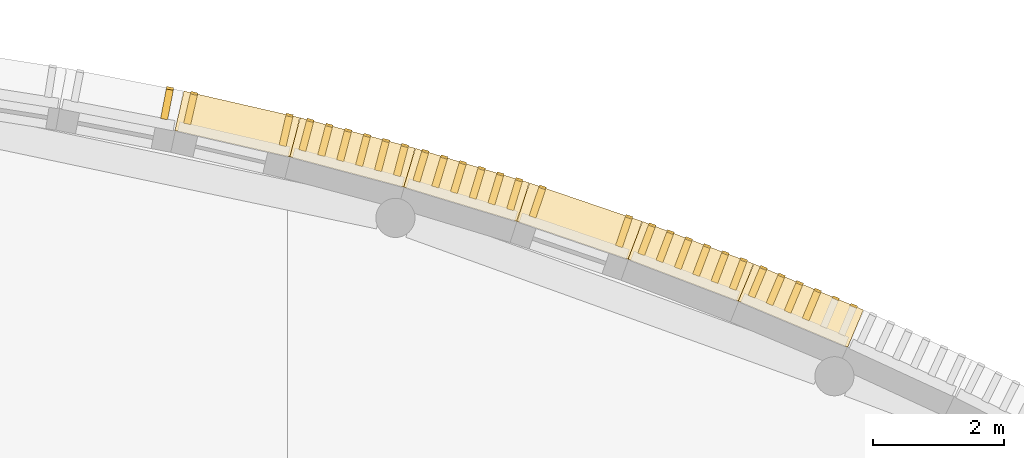
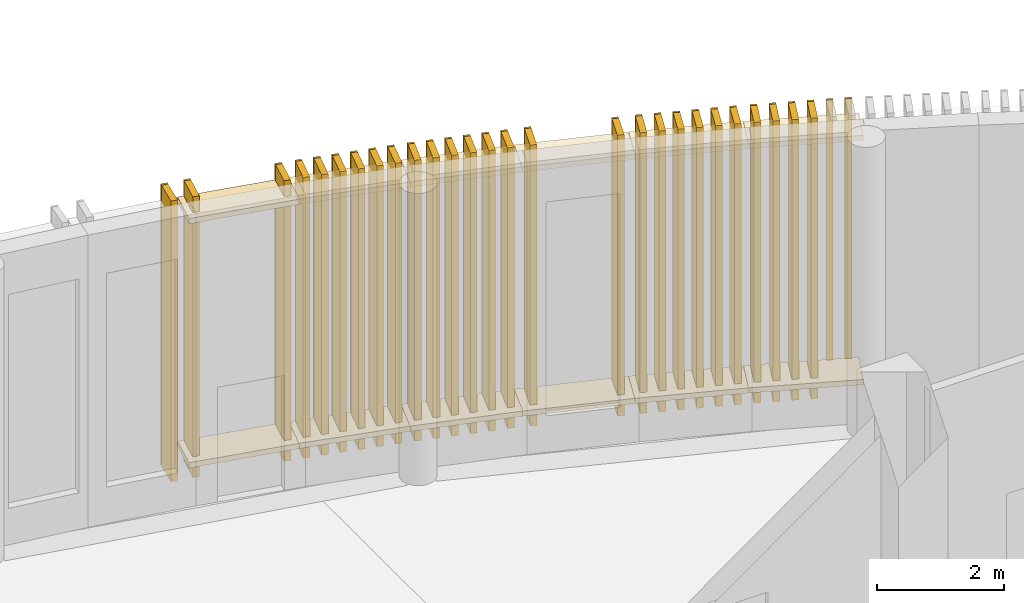
# One storey, part 81 of 85: 41 coverings, 27 shading devices.
"""IFC4 building model written with IfcOpenShell, lengths in metres."""

from ifc_helpers import new_model, si_unit, direction, frame, origin, origin_2d, place, context, subcontext, project, spatial, rectangle, extrude, material, layer, layer_set, type_object, element, save


model = new_model("IFC4")

# Units and contexts
model_context = context("Model", 3, precision=1e-05, world=origin(), true_north=direction((0.0, 1.0)))
body_context = subcontext(model_context, "Body", "Model", "MODEL_VIEW")
ifc_project = project(units=[si_unit("LENGTHUNIT", "METRE"), si_unit("AREAUNIT", "SQUARE_METRE"), si_unit("VOLUMEUNIT", "CUBIC_METRE"), si_unit("PLANEANGLEUNIT", "RADIAN"), si_unit("MASSUNIT", "GRAM", prefix="KILO")], contexts=[model_context])

# Site, building, storey
site_placement = place(None, origin())
site = spatial("IfcSite", under=ifc_project, at=site_placement, CompositionType="ELEMENT")
building_placement = place(site_placement, origin())
building = spatial("IfcBuilding", under=site, at=building_placement, Name="Sardonyx Promenade Sports Hall", CompositionType="ELEMENT")
storey_placement = place(building_placement, origin())
storey = spatial("IfcBuildingStorey", under=building, at=storey_placement, Name="L00", CompositionType="ELEMENT", Elevation=0.0)

# Coverings
ifc_material_1 = material(Name="Glulam GL28h", Category="wood")
ifc_layer = layer(ifc_material_1, 0.110107421875)
ifc_layer_set = layer_set([ifc_layer], Name="Cov_Louvre_GL28h")
covering_type = type_object("IfcCoveringType", Name="Cov_Louvre_GL28h", PredefinedType="MOLDING", material=ifc_layer_set)
covering_placement = place(storey_placement, frame((64.67626953125, 114.89599609375, 0.199951171875), z_axis=(0.0, 0.0, 1.0), x_axis=(0.981929658139, -0.18924625879, 0.0)))
element("IfcCovering", 1, at=covering_placement, inside=storey, type_object=covering_type, Name="Timber louvre nose molding L00 CH20 #2", PredefinedType="MOLDING", context=body_context, shape_type="SweptSolid", body=[
    extrude(rectangle(XDim=0.110107421875, YDim=0.0400390625, at=origin_2d()), origin(), (0.0, 0.0, 1.0), 5.3798828125),
])
for number, where, z_axis, x_axis, name in (
    (2, (65.70751953125, 114.349365234375, 0.5), (0.0, 0.0, 1.0), (0.974791577465, -0.223117414163, 0.0), "Bowed louvre carrier rail L00 CH21 #1"),
    (3, (65.70751953125, 114.349365234375, 5.179931640625), (0.0, 0.0, 1.0), (0.974791577465, -0.223117414163, 0.0), "Bowed louvre carrier rail L00 CH21 #2"),
):
    element("IfcCovering", number, at=place(storey_placement, frame(where, z_axis=z_axis, x_axis=x_axis)), inside=storey, type_object=covering_type, Name=name, PredefinedType="MOLDING", context=body_context, shape_type="SweptSolid", body=[
        extrude(rectangle(XDim=1.820068359375, YDim=0.6201171875, at=origin_2d()), origin(), (0.0, 0.0, 1.0), 0.10009765625),
    ])
for number, where, z_axis, x_axis, name in (
    (4, (65.04541015625, 114.819091796875, 0.199951171875), (0.0, 0.0, 1.0), (0.974791577465, -0.223117414163, 0.0), "Timber louvre nose molding L00 CH21 #1"),
    (5, (66.5078125, 114.484375, 0.199951171875), (0.0, 0.0, 1.0), (0.974791577465, -0.223117414163, 0.0), "Timber louvre nose molding L00 CH21 #6"),
):
    element("IfcCovering", number, at=place(storey_placement, frame(where, z_axis=z_axis, x_axis=x_axis)), inside=storey, type_object=covering_type, Name=name, PredefinedType="MOLDING", context=body_context, shape_type="SweptSolid", body=[
        extrude(rectangle(XDim=0.110107421875, YDim=0.0400390625, at=origin_2d()), origin(), (0.0, 0.0, 1.0), 5.3798828125),
    ])
for number, where, z_axis, x_axis, name in (
    (6, (67.470703125, 113.91357421875, 0.5), (0.0, 0.0, 1.0), (0.966485494347, -0.256721228607, 0.0), "Bowed louvre carrier rail L00 CH22 #1"),
    (7, (67.470703125, 113.91357421875, 5.179931640625), (0.0, 0.0, 1.0), (0.966485494347, -0.256721228607, 0.0), "Bowed louvre carrier rail L00 CH22 #2"),
):
    element("IfcCovering", number, at=place(storey_placement, frame(where, z_axis=z_axis, x_axis=x_axis)), inside=storey, type_object=covering_type, Name=name, PredefinedType="MOLDING", context=body_context, shape_type="SweptSolid", body=[
        extrude(rectangle(XDim=1.820068359375, YDim=0.6201171875, at=origin_2d()), origin(), (0.0, 0.0, 1.0), 0.10009765625),
    ])
for number, where, z_axis, x_axis, name in (
    (8, (66.825439453125, 114.40576171875, 0.199951171875), (0.0, 0.0, 1.0), (0.966485494347, -0.256721228607, 0.0), "Timber louvre nose molding L00 CH22 #1"),
    (9, (67.115478515625, 114.328857421875, 0.199951171875), (0.0, 0.0, 1.0), (0.966485494347, -0.256721228607, 0.0), "Timber louvre nose molding L00 CH22 #2"),
    (10, (67.4052734375, 114.251708984375, 0.199951171875), (0.0, 0.0, 1.0), (0.966485494347, -0.256721228607, 0.0), "Timber louvre nose molding L00 CH22 #3"),
    (11, (67.6953125, 114.1748046875, 0.199951171875), (0.0, 0.0, 1.0), (0.966485494347, -0.256721228607, 0.0), "Timber louvre nose molding L00 CH22 #4"),
    (12, (67.9853515625, 114.09765625, 0.199951171875), (0.0, 0.0, 1.0), (0.966485494347, -0.256721228607, 0.0), "Timber louvre nose molding L00 CH22 #5"),
    (13, (68.275146484375, 114.020751953125, 0.199951171875), (0.0, 0.0, 1.0), (0.966485494347, -0.256721228607, 0.0), "Timber louvre nose molding L00 CH22 #6"),
):
    element("IfcCovering", number, at=place(storey_placement, frame(where, z_axis=z_axis, x_axis=x_axis)), inside=storey, type_object=covering_type, Name=name, PredefinedType="MOLDING", context=body_context, shape_type="SweptSolid", body=[
        extrude(rectangle(XDim=0.110107421875, YDim=0.0400390625, at=origin_2d()), origin(), (0.0, 0.0, 1.0), 5.3798828125),
    ])
for number, where, z_axis, x_axis, name in (
    (14, (69.2177734375, 113.4169921875, 0.5), (0.0, 0.0, 1.0), (0.957021361193, -0.290017437786, 0.0), "Bowed louvre carrier rail L00 CH23 #1"),
    (15, (69.2177734375, 113.4169921875, 5.179931640625), (0.0, 0.0, 1.0), (0.957021361193, -0.290017437786, 0.0), "Bowed louvre carrier rail L00 CH23 #2"),
):
    element("IfcCovering", number, at=place(storey_placement, frame(where, z_axis=z_axis, x_axis=x_axis)), inside=storey, type_object=covering_type, Name=name, PredefinedType="MOLDING", context=body_context, shape_type="SweptSolid", body=[
        extrude(rectangle(XDim=1.820068359375, YDim=0.6201171875, at=origin_2d()), origin(), (0.0, 0.0, 1.0), 0.10009765625),
    ])
for number, where, z_axis, x_axis, name in (
    (16, (68.590087890625, 113.93115234375, 0.199951171875), (0.0, 0.0, 1.0), (0.957021361193, -0.290017437786, 0.0), "Timber louvre nose molding L00 CH23 #1"),
    (17, (68.877197265625, 113.84423828125, 0.199951171875), (0.0, 0.0, 1.0), (0.957021361193, -0.290017437786, 0.0), "Timber louvre nose molding L00 CH23 #2"),
    (18, (69.164306640625, 113.757080078125, 0.199951171875), (0.0, 0.0, 1.0), (0.957021361193, -0.290017437786, 0.0), "Timber louvre nose molding L00 CH23 #3"),
    (19, (69.451416015625, 113.670166015625, 0.199951171875), (0.0, 0.0, 1.0), (0.957021361193, -0.290017437786, 0.0), "Timber louvre nose molding L00 CH23 #4"),
    (20, (69.738525390625, 113.583251953125, 0.199951171875), (0.0, 0.0, 1.0), (0.957021361193, -0.290017437786, 0.0), "Timber louvre nose molding L00 CH23 #5"),
    (21, (70.025634765625, 113.49609375, 0.199951171875), (0.0, 0.0, 1.0), (0.957021361193, -0.290017437786, 0.0), "Timber louvre nose molding L00 CH23 #6"),
):
    element("IfcCovering", number, at=place(storey_placement, frame(where, z_axis=z_axis, x_axis=x_axis)), inside=storey, type_object=covering_type, Name=name, PredefinedType="MOLDING", context=body_context, shape_type="SweptSolid", body=[
        extrude(rectangle(XDim=0.110107421875, YDim=0.0400390625, at=origin_2d()), origin(), (0.0, 0.0, 1.0), 5.3798828125),
    ])
for number, where, z_axis, x_axis, name in (
    (22, (70.94677734375, 112.8603515625, 0.5), (0.0, 0.0, 1.0), (0.946410517999, -0.322966145935, 0.0), "Bowed louvre carrier rail L00 CH24 #1"),
    (23, (70.94677734375, 112.8603515625, 5.179931640625), (0.0, 0.0, 1.0), (0.946410517999, -0.322966145935, 0.0), "Bowed louvre carrier rail L00 CH24 #2"),
):
    element("IfcCovering", number, at=place(storey_placement, frame(where, z_axis=z_axis, x_axis=x_axis)), inside=storey, type_object=covering_type, Name=name, PredefinedType="MOLDING", context=body_context, shape_type="SweptSolid", body=[
        extrude(rectangle(XDim=1.820068359375, YDim=0.6201171875, at=origin_2d()), origin(), (0.0, 0.0, 1.0), 0.10009765625),
    ])
for number, where, z_axis, x_axis, name in (
    (24, (70.384521484375, 113.379638671875, 0.199951171875), (0.0, 0.0, 1.0), (0.946410517999, -0.322966145935, 0.0), "Timber louvre nose molding L00 CH24 #1"),
    (25, (71.70947265625, 112.927490234375, 0.199951171875), (0.0, 0.0, 1.0), (0.946410517999, -0.322966145935, 0.0), "Timber louvre nose molding L00 CH24 #2"),
):
    element("IfcCovering", number, at=place(storey_placement, frame(where, z_axis=z_axis, x_axis=x_axis)), inside=storey, type_object=covering_type, Name=name, PredefinedType="MOLDING", context=body_context, shape_type="SweptSolid", body=[
        extrude(rectangle(XDim=0.110107421875, YDim=0.0400390625, at=origin_2d()), origin(), (0.0, 0.0, 1.0), 5.3798828125),
    ])
for number, where, z_axis, x_axis, name in (
    (26, (72.6552734375, 112.243896484375, 0.5), (0.0, 0.0, 1.0), (0.934665678755, -0.355527873671, 0.0), "Bowed louvre carrier rail L00 CH25 #1"),
    (27, (72.6552734375, 112.243896484375, 5.179931640625), (0.0, 0.0, 1.0), (0.934665678755, -0.355527873671, 0.0), "Bowed louvre carrier rail L00 CH25 #2"),
):
    element("IfcCovering", number, at=place(storey_placement, frame(where, z_axis=z_axis, x_axis=x_axis)), inside=storey, type_object=covering_type, Name=name, PredefinedType="MOLDING", context=body_context, shape_type="SweptSolid", body=[
        extrude(rectangle(XDim=1.820068359375, YDim=0.6201171875, at=origin_2d()), origin(), (0.0, 0.0, 1.0), 0.10009765625),
    ])
for number, where, z_axis, x_axis, name in (
    (28, (72.064697265625, 112.80029296875, 0.199951171875), (0.0, 0.0, 1.0), (0.934665678755, -0.355527873671, 0.0), "Timber louvre nose molding L00 CH25 #1"),
    (29, (72.344970703125, 112.693603515625, 0.199951171875), (0.0, 0.0, 1.0), (0.934665678755, -0.355527873671, 0.0), "Timber louvre nose molding L00 CH25 #2"),
    (30, (72.62548828125, 112.5869140625, 0.199951171875), (0.0, 0.0, 1.0), (0.934665678755, -0.355527873671, 0.0), "Timber louvre nose molding L00 CH25 #3"),
    (31, (72.90576171875, 112.48046875, 0.199951171875), (0.0, 0.0, 1.0), (0.934665678755, -0.355527873671, 0.0), "Timber louvre nose molding L00 CH25 #4"),
    (32, (73.186279296875, 112.373779296875, 0.199951171875), (0.0, 0.0, 1.0), (0.934665678755, -0.355527873671, 0.0), "Timber louvre nose molding L00 CH25 #5"),
    (33, (73.466552734375, 112.26708984375, 0.199951171875), (0.0, 0.0, 1.0), (0.934665678755, -0.355527873671, 0.0), "Timber louvre nose molding L00 CH25 #6"),
):
    element("IfcCovering", number, at=place(storey_placement, frame(where, z_axis=z_axis, x_axis=x_axis)), inside=storey, type_object=covering_type, Name=name, PredefinedType="MOLDING", context=body_context, shape_type="SweptSolid", body=[
        extrude(rectangle(XDim=0.110107421875, YDim=0.0400390625, at=origin_2d()), origin(), (0.0, 0.0, 1.0), 5.3798828125),
    ])
for number, where, z_axis, x_axis, name in (
    (34, (74.341552734375, 111.56884765625, 0.5), (0.0, 0.0, 1.0), (0.921800239612, -0.387665214136, 0.0), "Bowed louvre carrier rail L00 CH26 #1"),
    (35, (74.341552734375, 111.56884765625, 5.179931640625), (0.0, 0.0, 1.0), (0.921800239612, -0.387665214136, 0.0), "Bowed louvre carrier rail L00 CH26 #2"),
):
    element("IfcCovering", number, at=place(storey_placement, frame(where, z_axis=z_axis, x_axis=x_axis)), inside=storey, type_object=covering_type, Name=name, PredefinedType="MOLDING", context=body_context, shape_type="SweptSolid", body=[
        extrude(rectangle(XDim=1.820068359375, YDim=0.6201171875, at=origin_2d()), origin(), (0.0, 0.0, 1.0), 0.10009765625),
    ])
for number, where, z_axis, x_axis, name in (
    (36, (73.7705078125, 112.1455078125, 0.199951171875), (0.0, 0.0, 1.0), (0.921800239612, -0.387665214136, 0.0), "Timber louvre nose molding L00 CH26 #1"),
    (37, (74.046875, 112.029052734375, 0.199951171875), (0.0, 0.0, 1.0), (0.921800239612, -0.387665214136, 0.0), "Timber louvre nose molding L00 CH26 #2"),
    (38, (74.323486328125, 111.912841796875, 0.199951171875), (0.0, 0.0, 1.0), (0.921800239612, -0.387665214136, 0.0), "Timber louvre nose molding L00 CH26 #3"),
    (39, (74.60009765625, 111.796630859375, 0.199951171875), (0.0, 0.0, 1.0), (0.921800239612, -0.387665214136, 0.0), "Timber louvre nose molding L00 CH26 #4"),
    (40, (74.876708984375, 111.68017578125, 0.199951171875), (0.0, 0.0, 1.0), (0.921800239612, -0.387665214136, 0.0), "Timber louvre nose molding L00 CH26 #5"),
    (41, (75.153076171875, 111.56396484375, 0.199951171875), (0.0, 0.0, 1.0), (0.921800239612, -0.387665214136, 0.0), "Timber louvre nose molding L00 CH26 #6"),
):
    element("IfcCovering", number, at=place(storey_placement, frame(where, z_axis=z_axis, x_axis=x_axis)), inside=storey, type_object=covering_type, Name=name, PredefinedType="MOLDING", context=body_context, shape_type="SweptSolid", body=[
        extrude(rectangle(XDim=0.110107421875, YDim=0.0400390625, at=origin_2d()), origin(), (0.0, 0.0, 1.0), 5.3798828125),
    ])

# Shading devices
ifc_material_2 = material(Name="Glulam GL28h", Category="wood")
shading_device_type_1 = type_object("IfcShadingDeviceType", Name="Shade_Fin_GL28h", PredefinedType="USERDEFINED", material=ifc_material_2)
for number, where, z_axis, x_axis, name in (
    (42, (64.628857, 114.650467, 0.2), (0.0, 0.0, 1.0), (0.98192966, -0.18924626, 0.0), "Timber fin TF01 L00 CH20 #2"),
    (43, (70.303671, 113.143102, 0.2), (0.0, 0.0, 1.0), (0.94641052, -0.32296615, 0.0), "Timber fin TF01 L00 CH24 #1"),
    (44, (71.628646, 112.690949, 0.2), (0.0, 0.0, 1.0), (0.94641052, -0.32296615, 0.0), "Timber fin TF01 L00 CH24 #2"),
):
    element("IfcShadingDevice", number, at=place(storey_placement, frame(where, z_axis=z_axis, x_axis=x_axis)), inside=storey, type_object=shading_device_type_1, material=ifc_material_2, Name=name, ObjectType="FIN", PredefinedType="USERDEFINED", context=body_context, shape_type="SweptSolid", body=[
        extrude(rectangle(XDim=0.11, YDim=0.46), origin(), (0.0, 0.0, 1.0), 5.38),
    ])
shading_device_type_2 = type_object("IfcShadingDeviceType", Name="Shade_Louvre_GL28h", PredefinedType="USERDEFINED", material=ifc_material_2)
for number, where, z_axis, x_axis, name in (
    (45, (64.989752, 114.575296, 0.2), (0.0, 0.0, 1.0), (0.97479158, -0.22311741, 0.0), "Timber louvre TL01 L00 CH21 #1"),
    (46, (66.451939, 114.24062, 0.2), (0.0, 0.0, 1.0), (0.97479158, -0.22311741, 0.0), "Timber louvre TL01 L00 CH21 #6"),
    (47, (66.761277, 114.164159, 0.2), (0.0, 0.0, 1.0), (0.96648549, -0.25672123, 0.0), "Timber louvre TL01 L00 CH22 #1"),
    (48, (67.051223, 114.087142, 0.2), (0.0, 0.0, 1.0), (0.96648549, -0.25672123, 0.0), "Timber louvre TL01 L00 CH22 #2"),
    (49, (67.341169, 114.010126, 0.2), (0.0, 0.0, 1.0), (0.96648549, -0.25672123, 0.0), "Timber louvre TL01 L00 CH22 #3"),
    (50, (67.631114, 113.933109, 0.2), (0.0, 0.0, 1.0), (0.96648549, -0.25672123, 0.0), "Timber louvre TL01 L00 CH22 #4"),
    (51, (67.92106, 113.856093, 0.2), (0.0, 0.0, 1.0), (0.96648549, -0.25672123, 0.0), "Timber louvre TL01 L00 CH22 #5"),
    (52, (68.211006, 113.779076, 0.2), (0.0, 0.0, 1.0), (0.96648549, -0.25672123, 0.0), "Timber louvre TL01 L00 CH22 #6"),
    (53, (68.517512, 113.691955, 0.2), (0.0, 0.0, 1.0), (0.95702136, -0.29001744, 0.0), "Timber louvre TL01 L00 CH23 #1"),
    (54, (68.804618, 113.604949, 0.2), (0.0, 0.0, 1.0), (0.95702136, -0.29001744, 0.0), "Timber louvre TL01 L00 CH23 #2"),
    (55, (69.091725, 113.517944, 0.2), (0.0, 0.0, 1.0), (0.95702136, -0.29001744, 0.0), "Timber louvre TL01 L00 CH23 #3"),
    (56, (69.378831, 113.430939, 0.2), (0.0, 0.0, 1.0), (0.95702136, -0.29001744, 0.0), "Timber louvre TL01 L00 CH23 #4"),
    (57, (69.665937, 113.343933, 0.2), (0.0, 0.0, 1.0), (0.95702136, -0.29001744, 0.0), "Timber louvre TL01 L00 CH23 #5"),
    (58, (69.953044, 113.256928, 0.2), (0.0, 0.0, 1.0), (0.95702136, -0.29001744, 0.0), "Timber louvre TL01 L00 CH23 #6"),
    (59, (71.97571, 112.566684, 0.2), (0.0, 0.0, 1.0), (0.93466568, -0.35552787, 0.0), "Timber louvre TL01 L00 CH25 #1"),
    (60, (72.25611, 112.460026, 0.2), (0.0, 0.0, 1.0), (0.93466568, -0.35552787, 0.0), "Timber louvre TL01 L00 CH25 #2"),
    (61, (72.536509, 112.353367, 0.2), (0.0, 0.0, 1.0), (0.93466568, -0.35552787, 0.0), "Timber louvre TL01 L00 CH25 #3"),
    (62, (72.816909, 112.246709, 0.2), (0.0, 0.0, 1.0), (0.93466568, -0.35552787, 0.0), "Timber louvre TL01 L00 CH25 #4"),
    (63, (73.097309, 112.14005, 0.2), (0.0, 0.0, 1.0), (0.93466568, -0.35552787, 0.0), "Timber louvre TL01 L00 CH25 #5"),
    (64, (73.377708, 112.033392, 0.2), (0.0, 0.0, 1.0), (0.93466568, -0.35552787, 0.0), "Timber louvre TL01 L00 CH25 #6"),
    (65, (73.673532, 111.914965, 0.2), (0.0, 0.0, 1.0), (0.92180024, -0.38766521, 0.0), "Timber louvre TL01 L00 CH26 #1"),
    (66, (73.950072, 111.798666, 0.2), (0.0, 0.0, 1.0), (0.92180024, -0.38766521, 0.0), "Timber louvre TL01 L00 CH26 #2"),
    (67, (74.226612, 111.682367, 0.2), (0.0, 0.0, 1.0), (0.92180024, -0.38766521, 0.0), "Timber louvre TL01 L00 CH26 #3"),
    (68, (74.503152, 111.566067, 0.2), (0.0, 0.0, 1.0), (0.92180024, -0.38766521, 0.0), "Timber louvre TL01 L00 CH26 #4"),
):
    element("IfcShadingDevice", number, at=place(storey_placement, frame(where, z_axis=z_axis, x_axis=x_axis)), inside=storey, type_object=shading_device_type_2, material=ifc_material_2, Name=name, ObjectType="LOUVRE", PredefinedType="USERDEFINED", context=body_context, shape_type="SweptSolid", body=[
        extrude(rectangle(XDim=0.11, YDim=0.46), origin(), (0.0, 0.0, 1.0), 5.38),
    ])

save(model, "model.ifc")
